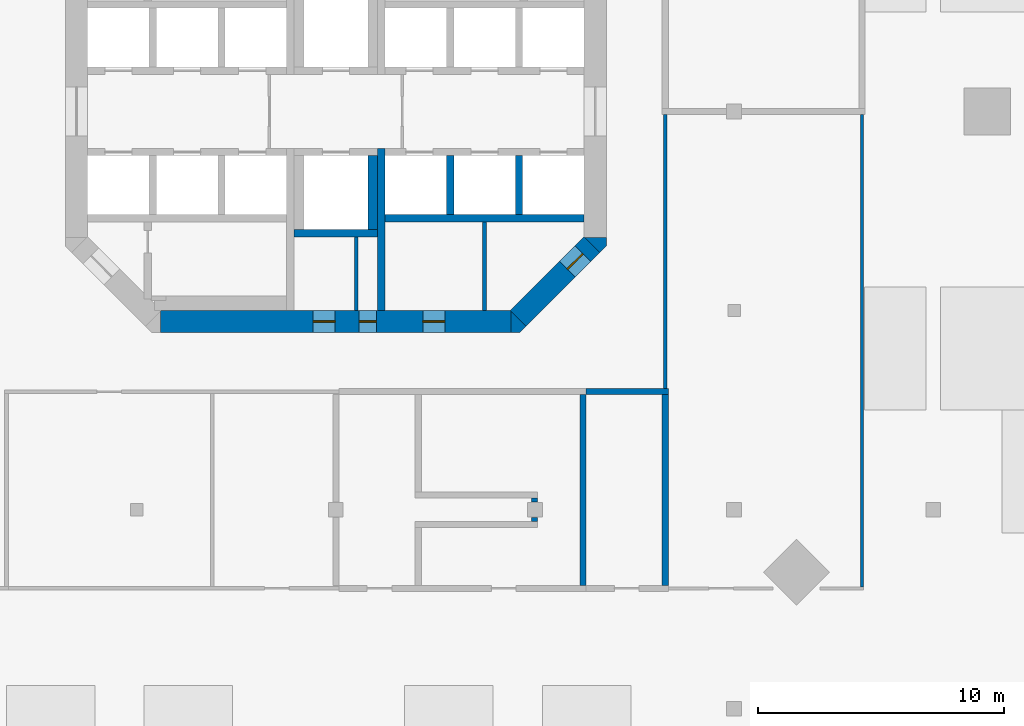
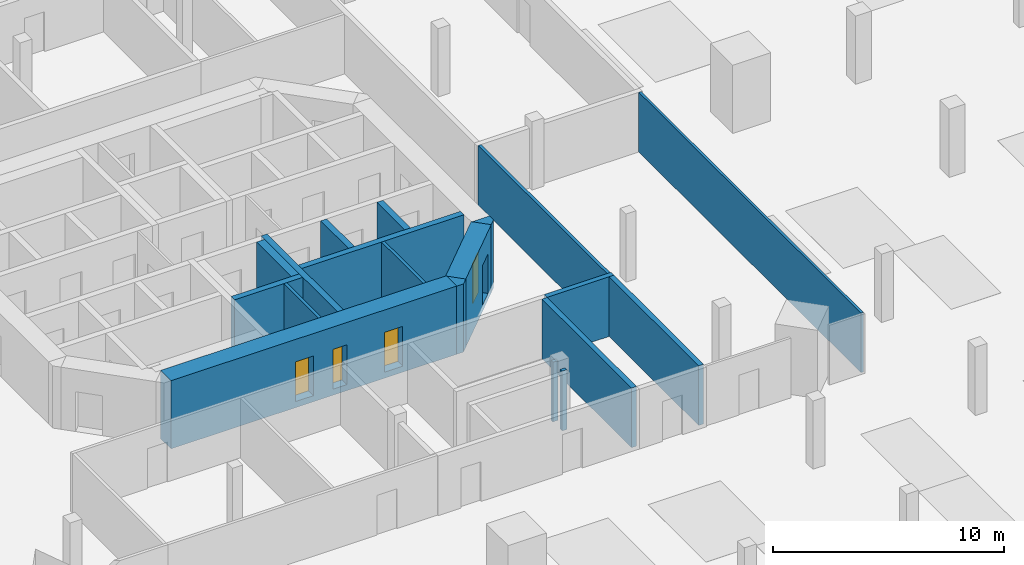
# One storey, part 4 of 14: 19 walls, 4 doors, 4 openings.
"""IFC4 building model written with IfcOpenShell, lengths in metres."""

from ifc_helpers import new_model, si_unit, direction, frame, frame_2d, origin, place, context, subcontext, project, spatial, polyline, rectangle, outline, extrude, material, layer, layer_set, type_object, element, fill, save


model = new_model("IFC4")

# Units and contexts
model_context = context("Model", 3, precision=1e-05, world=origin(), true_north=direction((0.0, 1.0)))
body_context = subcontext(model_context, "Body", "Model", "MODEL_VIEW")
ifc_project = project(units=[si_unit("LENGTHUNIT", "METRE"), si_unit("AREAUNIT", "SQUARE_METRE"), si_unit("VOLUMEUNIT", "CUBIC_METRE"), si_unit("PLANEANGLEUNIT", "RADIAN"), si_unit("MASSUNIT", "GRAM", prefix="KILO")], contexts=[model_context])

# Site, building, storey
site_placement = place(None, origin())
site = spatial("IfcSite", under=ifc_project, at=site_placement, CompositionType="ELEMENT")
building_placement = place(site_placement, origin())
building = spatial("IfcBuilding", under=site, at=building_placement, Name="Torre Triforio", CompositionType="ELEMENT")
storey_placement = place(building_placement, frame((0.0, 0.0, -3.60009765625)))
storey = spatial("IfcBuildingStorey", under=building, at=storey_placement, Name="B1", CompositionType="ELEMENT", Elevation=-3.60009765625)

# Wall
ifc_material_1 = material(Name="Concrete C60", Category="concrete")
ifc_layer_1 = layer(ifc_material_1, 0.300048828125)
ifc_layer_set_1 = layer_set([ifc_layer_1], Name="Concrete C60")
wall_type_1 = type_object("IfcWallType", Name="Core wall 300 mm C60 EI 120", PredefinedType="SHEAR", material=ifc_layer_set_1)
wall_1_placement = place(storey_placement, frame((1.85009765625, -8.10009765625, 0.0), z_axis=(0.0, 0.0, 1.0), x_axis=(0.0, 1.0, 0.0)))
element("IfcWall", 1, at=wall_1_placement, inside=storey, type_object=wall_type_1, Name="Core wall", PredefinedType="SHEAR", context=body_context, shape_type="SweptSolid", body=[
    extrude(rectangle(XDim=6.60009765625, YDim=0.300048828125, at=frame_2d((3.300048828125, 0.0))), origin(), (0.0, 0.0, 1.0), 3.280029296875),
])

# Wall, openings, doors
ifc_layer_2 = layer(ifc_material_1, 0.89990234375)
ifc_layer_set_2 = layer_set([ifc_layer_2], Name="Concrete C60")
wall_type_2 = type_object("IfcWallType", Name="Core wall 900 mm C60 EI 120", PredefinedType="SHEAR", material=ifc_layer_set_2)
wall_2_placement = place(storey_placement, frame((-7.1298828125, -8.550048828125, -0.31982421875), z_axis=(0.0, 0.0, 1.0), x_axis=(1.0, 0.0, 0.0)))
wall_2 = element("IfcWall", 2, at=wall_2_placement, inside=storey, type_object=wall_type_2, Name="Core wall", PredefinedType="SHEAR", context=body_context, shape_type="SweptSolid", body=[
    extrude(rectangle(XDim=14.259765625, YDim=0.89990234375, at=frame_2d((7.1298828125, 0.0))), origin(), (0.0, 0.0, 1.0), 3.599853515625),
])
opening_1_placement = place(wall_2_placement, frame((8.080078125, 0.0, 0.320068359375)))
opening_1 = element("IfcOpeningElement", 3, at=opening_1_placement, cuts=wall_2, Name="Opening RISER-S", PredefinedType="OPENING", context=body_context, shape_type="SweptSolid", body=[
    extrude(rectangle(XDim=0.699951171875, YDim=2.10009765625, at=frame_2d((0.35009765625, 1.050048828125))), frame((0.0, 0.4599609375, 0.0), z_axis=(0.0, -1.0, 0.0), x_axis=(1.0, 0.0, 0.0)), (0.0, 0.0, 1.0), 0.919921875),
])
opening_2_placement = place(wall_2_placement, frame((6.205078125, 0.0, 0.320068359375)))
opening_2 = element("IfcOpeningElement", 4, at=opening_2_placement, cuts=wall_2, Name="Opening SW-01", PredefinedType="OPENING", context=body_context, shape_type="SweptSolid", body=[
    extrude(rectangle(XDim=0.89990234375, YDim=2.10009765625, at=frame_2d((0.449951171875, 1.050048828125))), frame((0.0, 0.4599609375, 0.0), z_axis=(0.0, -1.0, 0.0), x_axis=(1.0, 0.0, 0.0)), (0.0, 0.0, 1.0), 0.919921875),
])
opening_3_placement = place(wall_2_placement, frame((10.66748046875, 0.0, 0.320068359375)))
opening_3 = element("IfcOpeningElement", 5, at=opening_3_placement, cuts=wall_2, Name="Opening SE-01", PredefinedType="OPENING", context=body_context, shape_type="SweptSolid", body=[
    extrude(rectangle(XDim=0.89990234375, YDim=2.10009765625, at=frame_2d((0.449951171875, 1.050048828125))), frame((0.0, 0.4599609375, 0.0), z_axis=(0.0, -1.0, 0.0), x_axis=(1.0, 0.0, 0.0)), (0.0, 0.0, 1.0), 0.919921875),
])
ifc_material_2 = material(Name="Hollow metal fire door leaf")
door_type_1 = type_object("IfcDoorType", Name="Plant room door 900 x 2100 EI 60", OperationType="NOTDEFINED", PredefinedType="DOOR", material=ifc_material_2)
door_1_placement = place(opening_2_placement, origin())
door_1 = element("IfcDoor", 6, at=door_1_placement, inside=storey, type_object=door_type_1, Name="Core door SW-01", OperationType="SINGLE_SWING_RIGHT", OverallHeight=2.10009765625, OverallWidth=0.89990234375, PredefinedType="DOOR", context=body_context, shape_type="SweptSolid", body=[
    extrude(rectangle(XDim=0.89990234375, YDim=2.10009765625, at=frame_2d((0.449951171875, 1.050048828125))), frame((0.0, 0.02490234375, 0.0), z_axis=(0.0, -1.0, 0.0), x_axis=(1.0, 0.0, 0.0)), (0.0, 0.0, 1.0), 0.050048828125),
])
fill(opening_2, door_1)
door_2_placement = place(opening_3_placement, origin())
door_2 = element("IfcDoor", 7, at=door_2_placement, inside=storey, type_object=door_type_1, Name="Core door SE-01", OperationType="SINGLE_SWING_RIGHT", OverallHeight=2.10009765625, OverallWidth=0.89990234375, PredefinedType="DOOR", context=body_context, shape_type="SweptSolid", body=[
    extrude(rectangle(XDim=0.89990234375, YDim=2.10009765625, at=frame_2d((0.449951171875, 1.050048828125))), frame((0.0, 0.02490234375, 0.0), z_axis=(0.0, -1.0, 0.0), x_axis=(1.0, 0.0, 0.0)), (0.0, 0.0, 1.0), 0.050048828125),
])
fill(opening_3, door_2)
door_type_2 = type_object("IfcDoorType", Name="Riser door 700 x 2100 EI 60", OperationType="NOTDEFINED", PredefinedType="DOOR", material=ifc_material_2)
door_3_placement = place(opening_1_placement, origin())
door_3 = element("IfcDoor", 8, at=door_3_placement, inside=storey, type_object=door_type_2, Name="Core door RISER-S", OperationType="SINGLE_SWING_RIGHT", OverallHeight=2.10009765625, OverallWidth=0.699951171875, PredefinedType="DOOR", context=body_context, shape_type="SweptSolid", body=[
    extrude(rectangle(XDim=0.699951171875, YDim=2.10009765625, at=frame_2d((0.35009765625, 1.050048828125))), frame((0.0, 0.02490234375, 0.0), z_axis=(0.0, -1.0, 0.0), x_axis=(1.0, 0.0, 0.0)), (0.0, 0.0, 1.0), 0.050048828125),
])
fill(opening_1, door_3)

# Wall, opening, door
wall_3_placement = place(storey_placement, frame((10.418212890625, -5.418212890625, -0.31982421875), z_axis=(0.0, 0.0, 1.0), x_axis=(-0.707106781187, -0.707106781187, 0.0)))
wall_3 = element("IfcWall", 9, at=wall_3_placement, inside=storey, type_object=wall_type_2, Name="Core wall", PredefinedType="SHEAR", context=body_context, shape_type="SweptSolid", body=[
    extrude(rectangle(XDim=4.24267578125, YDim=0.89990234375, at=frame_2d((2.121337890625, 0.0))), origin(), (0.0, 0.0, 1.0), 3.599853515625),
])
opening_4_placement = place(wall_3_placement, frame((0.52001953125, 0.0, 0.320068359375)))
opening_4 = element("IfcOpeningElement", 10, at=opening_4_placement, cuts=wall_3, Name="Opening SE-02", PredefinedType="OPENING", context=body_context, shape_type="SweptSolid", body=[
    extrude(rectangle(XDim=0.89990234375, YDim=2.10009765625, at=frame_2d((0.449951171875, 1.050048828125))), frame((0.0, 0.4599609375, 0.0), z_axis=(0.0, -1.0, 0.0), x_axis=(1.0, 0.0, 0.0)), (0.0, 0.0, 1.0), 0.919921875),
])
door_type_3 = type_object("IfcDoorType", Name="Room door 900 x 2100 EI 60", OperationType="NOTDEFINED", PredefinedType="DOOR", material=ifc_material_2)
door_4_placement = place(opening_4_placement, origin())
door_4 = element("IfcDoor", 11, at=door_4_placement, inside=storey, type_object=door_type_3, Name="Core door SE-02", OperationType="SINGLE_SWING_LEFT", OverallHeight=2.10009765625, OverallWidth=0.89990234375, PredefinedType="DOOR", context=body_context, shape_type="SweptSolid", body=[
    extrude(rectangle(XDim=0.89990234375, YDim=2.10009765625, at=frame_2d((0.449951171875, 1.050048828125))), frame((0.0, 0.02490234375, 0.0), z_axis=(0.0, -1.0, 0.0), x_axis=(1.0, 0.0, 0.0)), (0.0, 0.0, 1.0), 0.050048828125),
])
fill(opening_4, door_4)

# Walls
wall_4_placement = place(storey_placement, frame((0.0, 0.0, -0.31982421875)))
element("IfcWall", 12, at=wall_4_placement, inside=storey, type_object=wall_type_2, Name="Core wall", PredefinedType="SHEAR", context=body_context, shape_type="SweptSolid", body=[
    extrude(outline(polyline([(7.472900390625, -9.0), (7.1298828125, -9.0), (7.1298828125, -8.1298828125), (7.736328125, -8.736328125), (7.472900390625, -9.0)])), origin(), (0.0, 0.0, 1.0), 3.599853515625),
])
wall_5_placement = place(storey_placement, frame((0.0, 0.0, -0.31982421875)))
element("IfcWall", 13, at=wall_5_placement, inside=storey, type_object=wall_type_2, Name="Core wall", PredefinedType="SHEAR", context=body_context, shape_type="SweptSolid", body=[
    extrude(outline(polyline([(11.0, -5.472900390625), (10.736328125, -5.736328125), (10.1298828125, -5.1298828125), (11.0, -5.1298828125), (11.0, -5.472900390625)])), origin(), (0.0, 0.0, 1.0), 3.599853515625),
])
ifc_material_3 = material(Name="Plasterboard on metal studs")
ifc_layer_3 = layer(ifc_material_3, 0.14990234375)
ifc_layer_set_3 = layer_set([ifc_layer_3], Name="Plasterboard on metal studs")
wall_type_3 = type_object("IfcWallType", Name="Corridor wall 150 EI 60", PredefinedType="PARTITIONING", material=ifc_layer_set_3)
wall_6_placement = place(storey_placement, frame((13.39990234375, -11.27490234375, 0.0), z_axis=(0.0, 0.0, 1.0), x_axis=(0.0, 1.0, 0.0)))
element("IfcWall", 14, at=wall_6_placement, inside=storey, type_object=wall_type_3, Name="Corridor wall B1 029", PredefinedType="PARTITIONING", context=body_context, shape_type="SweptSolid", body=[
    extrude(rectangle(XDim=11.14990234375, YDim=0.14990234375, at=frame_2d((5.574951171875, 0.0))), origin(), (0.0, 0.0, 1.0), 3.150146484375),
])
ifc_layer_4 = layer(ifc_material_3, 0.1201171875)
ifc_layer_set_4 = layer_set([ifc_layer_4], Name="Plasterboard on metal studs")
wall_type_4 = type_object("IfcWallType", Name="Partition 120", PredefinedType="PARTITIONING", material=ifc_layer_set_4)
wall_7_placement = place(storey_placement, frame((21.39990234375, -19.340087890625, 0.0), z_axis=(0.0, 0.0, 1.0), x_axis=(0.0, 1.0, 0.0)))
element("IfcWall", 15, at=wall_7_placement, inside=storey, type_object=wall_type_4, Name="Partition B1 028", PredefinedType="PARTITIONING", context=body_context, shape_type="SweptSolid", body=[
    extrude(rectangle(XDim=19.215087890625, YDim=0.1201171875, at=frame_2d((9.607421875, 0.0))), origin(), (0.0, 0.0, 1.0), 3.150146484375),
])
ifc_material_4 = material(Name="Block and board partition")
ifc_layer_5 = layer(ifc_material_4, 0.14990234375)
ifc_layer_set_5 = layer_set([ifc_layer_5], Name="Block and board partition")
wall_type_5 = type_object("IfcWallType", Name="Partition 150 mm", PredefinedType="PARTITIONING", material=ifc_layer_set_5)
wall_8_placement = place(storey_placement, frame((6.050048828125, -8.10009765625, 0.0), z_axis=(0.0, 0.0, 1.0), x_axis=(0.0, 1.0, 0.0)))
element("IfcWall", 16, at=wall_8_placement, inside=storey, type_object=wall_type_5, Name="Partition", PredefinedType="PARTITIONING", context=body_context, shape_type="SweptSolid", body=[
    extrude(rectangle(XDim=3.60009765625, YDim=0.14990234375, at=frame_2d((1.800048828125, 0.0))), origin(), (0.0, 0.0, 1.0), 3.280029296875),
])
ifc_layer_6 = layer(ifc_material_4, 0.14990234375)
ifc_layer_set_6 = layer_set([ifc_layer_6], Name="Block and board partition")
wall_type_6 = type_object("IfcWallType", Name="Partition 150 mm EI 120", PredefinedType="PARTITIONING", material=ifc_layer_set_6)
wall_9_placement = place(storey_placement, frame((0.824951171875, -8.10009765625, 0.0), z_axis=(0.0, 0.0, 1.0), x_axis=(0.0, 1.0, 0.0)))
element("IfcWall", 17, at=wall_9_placement, inside=storey, type_object=wall_type_6, Name="Partition", PredefinedType="PARTITIONING", context=body_context, shape_type="SweptSolid", body=[
    extrude(rectangle(XDim=3.0, YDim=0.14990234375, at=frame_2d((1.5, 0.0))), origin(), (0.0, 0.0, 1.0), 3.280029296875),
])
ifc_material_5 = material(Name="Masonry block", Category="masonry")
ifc_layer_7 = layer(ifc_material_5, 0.25)
ifc_layer_set_7 = layer_set([ifc_layer_7], Name="Masonry block")
wall_type_7 = type_object("IfcWallType", Name="Plant room wall 250 EI 120", PredefinedType="PARTITIONING", material=ifc_layer_set_7)
wall_10_placement = place(storey_placement, frame((8.080078125, -16.675048828125, 0.0), z_axis=(0.0, 0.0, 1.0), x_axis=(0.0, 1.0, 0.0)))
element("IfcWall", 18, at=wall_10_placement, inside=storey, type_object=wall_type_7, Name="Plant room wall B1 061", PredefinedType="PARTITIONING", context=body_context, shape_type="SweptSolid", body=[
    extrude(rectangle(XDim=0.1650390625, YDim=0.25, at=frame_2d((0.08251953125, 0.0))), origin(), (0.0, 0.0, 1.0), 3.150146484375),
])
wall_11_placement = place(storey_placement, frame((8.080078125, -15.889892578125, 0.0), z_axis=(0.0, 0.0, 1.0), x_axis=(0.0, 1.0, 0.0)))
element("IfcWall", 19, at=wall_11_placement, inside=storey, type_object=wall_type_7, Name="Plant room wall B1 062", PredefinedType="PARTITIONING", context=body_context, shape_type="SweptSolid", body=[
    extrude(rectangle(XDim=0.164794921875, YDim=0.25, at=frame_2d((0.08251953125, 0.0))), origin(), (0.0, 0.0, 1.0), 3.150146484375),
])
wall_12_placement = place(storey_placement, frame((10.050048828125, -19.27490234375, 0.0), z_axis=(0.0, 0.0, 1.0), x_axis=(0.0, 1.0, 0.0)))
element("IfcWall", 20, at=wall_12_placement, inside=storey, type_object=wall_type_7, Name="Plant room wall B1 063", PredefinedType="PARTITIONING", context=body_context, shape_type="SweptSolid", body=[
    extrude(rectangle(XDim=7.75, YDim=0.25, at=frame_2d((3.875, 0.0))), origin(), (0.0, 0.0, 1.0), 3.150146484375),
])
ifc_layer_8 = layer(ifc_material_5, 0.25)
ifc_layer_set_8 = layer_set([ifc_layer_8], Name="Masonry block")
wall_type_8 = type_object("IfcWallType", Name="Riser wall 250 EI 120", PredefinedType="PARTITIONING", material=ifc_layer_set_8)
wall_13_placement = place(storey_placement, frame((13.39990234375, -19.27490234375, 0.0), z_axis=(0.0, 0.0, 1.0), x_axis=(0.0, 1.0, 0.0)))
element("IfcWall", 21, at=wall_13_placement, inside=storey, type_object=wall_type_8, Name="Riser wall B1 030", PredefinedType="PARTITIONING", context=body_context, shape_type="SweptSolid", body=[
    extrude(rectangle(XDim=7.75, YDim=0.25, at=frame_2d((3.875, 0.0))), origin(), (0.0, 0.0, 1.0), 3.150146484375),
])
wall_14_placement = place(storey_placement, frame((10.175048828125, -11.39990234375, 0.0), z_axis=(0.0, 0.0, 1.0), x_axis=(1.0, 0.0, 0.0)))
element("IfcWall", 22, at=wall_14_placement, inside=storey, type_object=wall_type_8, Name="Riser wall B1 053", PredefinedType="PARTITIONING", context=body_context, shape_type="SweptSolid", body=[
    extrude(rectangle(XDim=3.349853515625, YDim=0.25, at=frame_2d((1.6748046875, 0.0))), origin(), (0.0, 0.0, 1.0), 3.150146484375),
])
ifc_layer_9 = layer(ifc_material_1, 0.300048828125)
ifc_layer_set_9 = layer_set([ifc_layer_9], Name="Concrete C60")
wall_type_9 = type_object("IfcWallType", Name="Shaft wall 300 mm C60 EI 120", PredefinedType="SOLIDWALL", material=ifc_layer_set_9)
wall_15_placement = place(storey_placement, frame((2.0, -4.35009765625, 0.0), z_axis=(0.0, 0.0, 1.0), x_axis=(1.0, 0.0, 0.0)))
element("IfcWall", 23, at=wall_15_placement, inside=storey, type_object=wall_type_9, Name="Shaft wall", PredefinedType="SOLIDWALL", context=body_context, shape_type="SweptSolid", body=[
    extrude(rectangle(XDim=8.10009765625, YDim=0.300048828125, at=frame_2d((4.050048828125, 0.0))), origin(), (0.0, 0.0, 1.0), 3.280029296875),
])
for number, where, z_axis, x_axis, name in (
    (24, (4.64990234375, -4.199951171875, 0.0), (0.0, 0.0, 1.0), (0.0, 1.0, 0.0), "Shaft wall"),
    (25, (7.449951171875, -4.199951171875, 0.0), (0.0, 0.0, 1.0), (0.0, 1.0, 0.0), "Shaft wall"),
):
    element("IfcWall", number, at=place(storey_placement, frame(where, z_axis=z_axis, x_axis=x_axis)), inside=storey, type_object=wall_type_9, Name=name, PredefinedType="SOLIDWALL", context=body_context, shape_type="SweptSolid", body=[
        extrude(rectangle(XDim=2.39990234375, YDim=0.300048828125, at=frame_2d((1.199951171875, 0.0))), origin(), (0.0, 0.0, 1.0), 3.280029296875),
    ])
wall_16_placement = place(storey_placement, frame((-1.699951171875, -4.949951171875, 0.0), z_axis=(0.0, 0.0, 1.0), x_axis=(1.0, 0.0, 0.0)))
element("IfcWall", 26, at=wall_16_placement, inside=storey, type_object=wall_type_9, Name="Shaft wall", PredefinedType="SOLIDWALL", context=body_context, shape_type="SweptSolid", body=[
    extrude(rectangle(XDim=3.39990234375, YDim=0.300048828125, at=frame_2d((1.699951171875, 0.0))), origin(), (0.0, 0.0, 1.0), 3.280029296875),
])
ifc_layer_10 = layer(ifc_material_1, 0.39990234375)
ifc_layer_set_10 = layer_set([ifc_layer_10], Name="Concrete C60")
wall_type_10 = type_object("IfcWallType", Name="Shaft wall 400 mm C60 EI 120", PredefinedType="SOLIDWALL", material=ifc_layer_set_10)
wall_17_placement = place(storey_placement, frame((1.5, -4.800048828125, 0.0), z_axis=(0.0, 0.0, 1.0), x_axis=(0.0, 1.0, 0.0)))
element("IfcWall", 27, at=wall_17_placement, inside=storey, type_object=wall_type_10, Name="Shaft wall", PredefinedType="SOLIDWALL", context=body_context, shape_type="SweptSolid", body=[
    extrude(rectangle(XDim=3.0, YDim=0.39990234375, at=frame_2d((1.5, 0.0))), origin(), (0.0, 0.0, 1.0), 3.280029296875),
])

save(model, "model.ifc")
